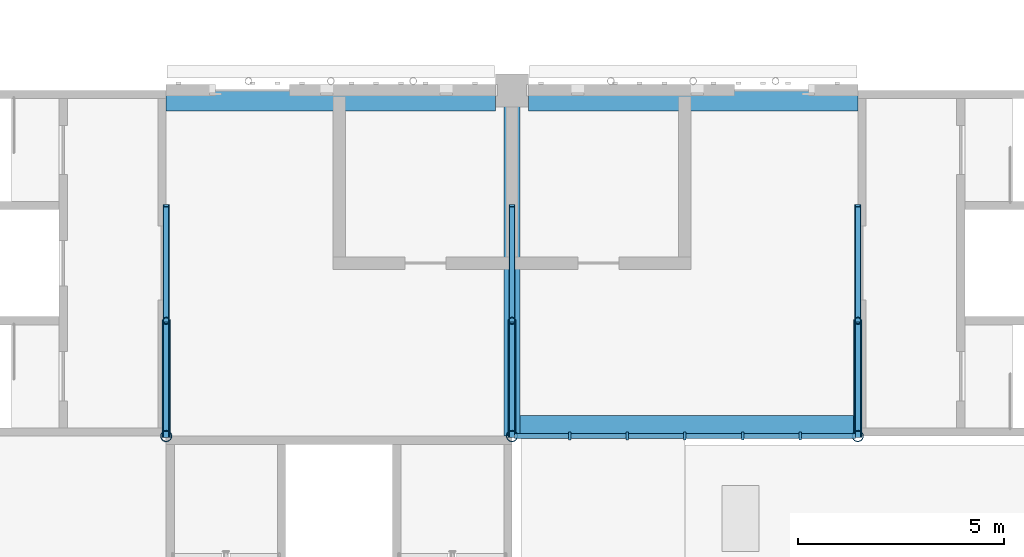
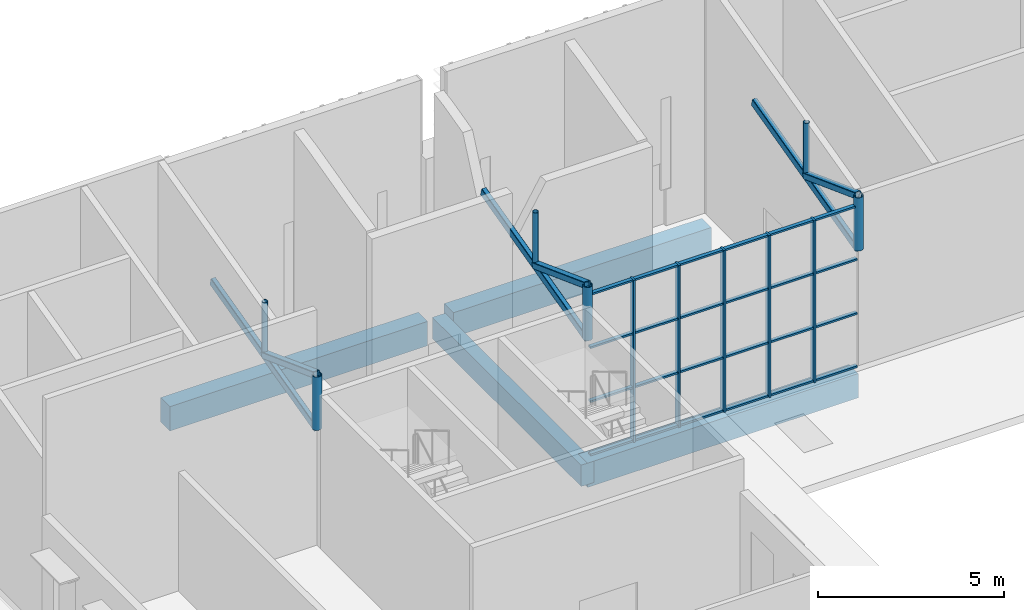
# One storey, part 6 of 101: 44 members, 4 beams, 1 element without a shape of its own.
"""IFC4 building model written with IfcOpenShell, lengths in metres."""

from ifc_helpers import new_model, si_unit, direction, frame, origin, origin_2d, place, context, subcontext, project, spatial, rectangle, hollow_rectangle, hollow_circle, extrude, material, material_profile, profile_set, type_object, element, aggregate, save


model = new_model("IFC4")

# Units and contexts
model_context = context("Model", 3, precision=1e-05, world=origin(), true_north=direction((0.0, 1.0)))
body_context = subcontext(model_context, "Body", "Model", "MODEL_VIEW")
ifc_project = project(units=[si_unit("LENGTHUNIT", "METRE"), si_unit("AREAUNIT", "SQUARE_METRE"), si_unit("VOLUMEUNIT", "CUBIC_METRE"), si_unit("PLANEANGLEUNIT", "RADIAN"), si_unit("MASSUNIT", "GRAM", prefix="KILO")], contexts=[model_context])

# Site, building, storey
site_placement = place(None, origin())
site = spatial("IfcSite", under=ifc_project, at=site_placement, CompositionType="ELEMENT")
building_placement = place(site_placement, origin())
building = spatial("IfcBuilding", under=site, at=building_placement, Name="Almond Square Museum", CompositionType="ELEMENT")
storey_placement = place(building_placement, frame((0.0, 0.0, 5.5)))
storey = spatial("IfcBuildingStorey", under=building, at=storey_placement, Name="L01", CompositionType="ELEMENT", Elevation=5.5)

# Curtain wall, members
ifc_material_1 = material(Name="Aluminium and laminated glass", Category="aluminium")
curtain_wall_type = type_object("IfcCurtainWallType", Name="Unitised curtain wall 1500 module", PredefinedType="NOTDEFINED", material=ifc_material_1)
curtain_wall_placement = place(storey_placement, origin())
curtain_wall = element("IfcCurtainWall", 1, at=curtain_wall_placement, inside=storey, type_object=curtain_wall_type, Name="Curtain wall CW-06", PredefinedType="NOTDEFINED")
ifc_material_2 = material(Name="Anodised aluminium", Category="aluminium")
ifc_material_profile_1 = material_profile(ifc_material_2, rectangle(XDim=0.199951171875, YDim=0.06005859375, at=origin_2d()))
ifc_profile_set_1 = profile_set([ifc_material_profile_1], Name="Anodised aluminium")
member_type_1 = type_object("IfcMemberType", Name="Aluminium mullion 60 x 200", PredefinedType="MULLION", material=ifc_profile_set_1)
member_1_placement = place(storey_placement, frame((24.199951171875, 75.60009765625, 0.0), z_axis=(0.0, 0.0, 1.0), x_axis=(0.0, 1.0, 0.0)))
member_1 = element("IfcMember", 2, at=member_1_placement, type_object=member_type_1, Name="CW-06 mullion 2", PredefinedType="MULLION", context=body_context, shape_type="SweptSolid", body=[
    extrude(rectangle(XDim=0.199951171875, YDim=0.06005859375, at=origin_2d()), origin(), (0.0, 0.0, 1.0), 5.319091796875),
])
member_2_placement = place(storey_placement, frame((25.60009765625, 75.60009765625, 0.0), z_axis=(0.0, 0.0, 1.0), x_axis=(0.0, 1.0, 0.0)))
member_2 = element("IfcMember", 3, at=member_2_placement, type_object=member_type_1, Name="CW-06 mullion 3", PredefinedType="MULLION", context=body_context, shape_type="SweptSolid", body=[
    extrude(rectangle(XDim=0.199951171875, YDim=0.06005859375, at=origin_2d()), origin(), (0.0, 0.0, 1.0), 5.319091796875),
])
member_3_placement = place(storey_placement, frame((27.0, 75.60009765625, 0.0), z_axis=(0.0, 0.0, 1.0), x_axis=(0.0, 1.0, 0.0)))
member_3 = element("IfcMember", 4, at=member_3_placement, type_object=member_type_1, Name="CW-06 mullion 4", PredefinedType="MULLION", context=body_context, shape_type="SweptSolid", body=[
    extrude(rectangle(XDim=0.199951171875, YDim=0.06005859375, at=origin_2d()), origin(), (0.0, 0.0, 1.0), 5.319091796875),
])
member_4_placement = place(storey_placement, frame((28.39990234375, 75.60009765625, 0.0), z_axis=(0.0, 0.0, 1.0), x_axis=(0.0, 1.0, 0.0)))
member_4 = element("IfcMember", 5, at=member_4_placement, type_object=member_type_1, Name="CW-06 mullion 5", PredefinedType="MULLION", context=body_context, shape_type="SweptSolid", body=[
    extrude(rectangle(XDim=0.199951171875, YDim=0.06005859375, at=origin_2d()), origin(), (0.0, 0.0, 1.0), 5.319091796875),
])
member_5_placement = place(storey_placement, frame((29.800048828125, 75.60009765625, 0.0), z_axis=(0.0, 0.0, 1.0), x_axis=(0.0, 1.0, 0.0)))
member_5 = element("IfcMember", 6, at=member_5_placement, type_object=member_type_1, Name="CW-06 mullion 6", PredefinedType="MULLION", context=body_context, shape_type="SweptSolid", body=[
    extrude(rectangle(XDim=0.199951171875, YDim=0.06005859375, at=origin_2d()), origin(), (0.0, 0.0, 1.0), 5.319091796875),
])
ifc_material_3 = material(Name="Anodised aluminium", Category="aluminium")
ifc_material_profile_2 = material_profile(ifc_material_3, rectangle(XDim=0.1201171875, YDim=0.06005859375, at=origin_2d()))
ifc_profile_set_2 = profile_set([ifc_material_profile_2], Name="Anodised aluminium")
member_type_2 = type_object("IfcMemberType", Name="Aluminium transom 60 x 120", PredefinedType="USERDEFINED", material=ifc_profile_set_2)
member_6_placement = place(storey_placement, frame((22.860107421875, 75.60009765625, 0.030029296875), z_axis=(1.0, 0.0, 0.0), x_axis=(0.0, 1.0, 0.0)))
member_6 = element("IfcMember", 7, at=member_6_placement, type_object=member_type_2, Name="CW-06 transom 1.1", ObjectType="TRANSOM", PredefinedType="USERDEFINED", context=body_context, shape_type="SweptSolid", body=[
    extrude(rectangle(XDim=0.1201171875, YDim=0.06005859375, at=origin_2d()), origin(), (0.0, 0.0, 1.0), 1.309814453125),
])
member_7_placement = place(storey_placement, frame((22.860107421875, 75.60009765625, 1.77294921875), z_axis=(1.0, 0.0, 0.0), x_axis=(0.0, 1.0, 0.0)))
member_7 = element("IfcMember", 8, at=member_7_placement, type_object=member_type_2, Name="CW-06 transom 1.2", ObjectType="TRANSOM", PredefinedType="USERDEFINED", context=body_context, shape_type="SweptSolid", body=[
    extrude(rectangle(XDim=0.1201171875, YDim=0.06005859375, at=origin_2d()), origin(), (0.0, 0.0, 1.0), 1.309814453125),
])
member_8_placement = place(storey_placement, frame((22.860107421875, 75.60009765625, 3.546142578125), z_axis=(1.0, 0.0, 0.0), x_axis=(0.0, 1.0, 0.0)))
member_8 = element("IfcMember", 9, at=member_8_placement, type_object=member_type_2, Name="CW-06 transom 1.3", ObjectType="TRANSOM", PredefinedType="USERDEFINED", context=body_context, shape_type="SweptSolid", body=[
    extrude(rectangle(XDim=0.1201171875, YDim=0.06005859375, at=origin_2d()), origin(), (0.0, 0.0, 1.0), 1.309814453125),
])
member_9_placement = place(storey_placement, frame((22.860107421875, 75.60009765625, 5.2890625), z_axis=(1.0, 0.0, 0.0), x_axis=(0.0, 1.0, 0.0)))
member_9 = element("IfcMember", 10, at=member_9_placement, type_object=member_type_2, Name="CW-06 transom 1.4", ObjectType="TRANSOM", PredefinedType="USERDEFINED", context=body_context, shape_type="SweptSolid", body=[
    extrude(rectangle(XDim=0.1201171875, YDim=0.06005859375, at=origin_2d()), origin(), (0.0, 0.0, 1.0), 1.309814453125),
])
member_10_placement = place(storey_placement, frame((24.22998046875, 75.60009765625, 0.030029296875), z_axis=(1.0, 0.0, 0.0), x_axis=(0.0, 1.0, 0.0)))
member_10 = element("IfcMember", 11, at=member_10_placement, type_object=member_type_2, Name="CW-06 transom 2.1", ObjectType="TRANSOM", PredefinedType="USERDEFINED", context=body_context, shape_type="SweptSolid", body=[
    extrude(rectangle(XDim=0.1201171875, YDim=0.06005859375, at=origin_2d()), origin(), (0.0, 0.0, 1.0), 1.340087890625),
])
member_11_placement = place(storey_placement, frame((24.22998046875, 75.60009765625, 1.77294921875), z_axis=(1.0, 0.0, 0.0), x_axis=(0.0, 1.0, 0.0)))
member_11 = element("IfcMember", 12, at=member_11_placement, type_object=member_type_2, Name="CW-06 transom 2.2", ObjectType="TRANSOM", PredefinedType="USERDEFINED", context=body_context, shape_type="SweptSolid", body=[
    extrude(rectangle(XDim=0.1201171875, YDim=0.06005859375, at=origin_2d()), origin(), (0.0, 0.0, 1.0), 1.340087890625),
])
member_12_placement = place(storey_placement, frame((24.22998046875, 75.60009765625, 3.546142578125), z_axis=(1.0, 0.0, 0.0), x_axis=(0.0, 1.0, 0.0)))
member_12 = element("IfcMember", 13, at=member_12_placement, type_object=member_type_2, Name="CW-06 transom 2.3", ObjectType="TRANSOM", PredefinedType="USERDEFINED", context=body_context, shape_type="SweptSolid", body=[
    extrude(rectangle(XDim=0.1201171875, YDim=0.06005859375, at=origin_2d()), origin(), (0.0, 0.0, 1.0), 1.340087890625),
])
member_13_placement = place(storey_placement, frame((24.22998046875, 75.60009765625, 5.2890625), z_axis=(1.0, 0.0, 0.0), x_axis=(0.0, 1.0, 0.0)))
member_13 = element("IfcMember", 14, at=member_13_placement, type_object=member_type_2, Name="CW-06 transom 2.4", ObjectType="TRANSOM", PredefinedType="USERDEFINED", context=body_context, shape_type="SweptSolid", body=[
    extrude(rectangle(XDim=0.1201171875, YDim=0.06005859375, at=origin_2d()), origin(), (0.0, 0.0, 1.0), 1.340087890625),
])
member_14_placement = place(storey_placement, frame((25.6298828125, 75.60009765625, 0.030029296875), z_axis=(1.0, 0.0, 0.0), x_axis=(0.0, 1.0, 0.0)))
member_14 = element("IfcMember", 15, at=member_14_placement, type_object=member_type_2, Name="CW-06 transom 3.1", ObjectType="TRANSOM", PredefinedType="USERDEFINED", context=body_context, shape_type="SweptSolid", body=[
    extrude(rectangle(XDim=0.1201171875, YDim=0.06005859375, at=origin_2d()), origin(), (0.0, 0.0, 1.0), 1.340087890625),
])
member_15_placement = place(storey_placement, frame((25.6298828125, 75.60009765625, 1.77294921875), z_axis=(1.0, 0.0, 0.0), x_axis=(0.0, 1.0, 0.0)))
member_15 = element("IfcMember", 16, at=member_15_placement, type_object=member_type_2, Name="CW-06 transom 3.2", ObjectType="TRANSOM", PredefinedType="USERDEFINED", context=body_context, shape_type="SweptSolid", body=[
    extrude(rectangle(XDim=0.1201171875, YDim=0.06005859375, at=origin_2d()), origin(), (0.0, 0.0, 1.0), 1.340087890625),
])
member_16_placement = place(storey_placement, frame((25.6298828125, 75.60009765625, 3.546142578125), z_axis=(1.0, 0.0, 0.0), x_axis=(0.0, 1.0, 0.0)))
member_16 = element("IfcMember", 17, at=member_16_placement, type_object=member_type_2, Name="CW-06 transom 3.3", ObjectType="TRANSOM", PredefinedType="USERDEFINED", context=body_context, shape_type="SweptSolid", body=[
    extrude(rectangle(XDim=0.1201171875, YDim=0.06005859375, at=origin_2d()), origin(), (0.0, 0.0, 1.0), 1.340087890625),
])
member_17_placement = place(storey_placement, frame((25.6298828125, 75.60009765625, 5.2890625), z_axis=(1.0, 0.0, 0.0), x_axis=(0.0, 1.0, 0.0)))
member_17 = element("IfcMember", 18, at=member_17_placement, type_object=member_type_2, Name="CW-06 transom 3.4", ObjectType="TRANSOM", PredefinedType="USERDEFINED", context=body_context, shape_type="SweptSolid", body=[
    extrude(rectangle(XDim=0.1201171875, YDim=0.06005859375, at=origin_2d()), origin(), (0.0, 0.0, 1.0), 1.340087890625),
])
member_18_placement = place(storey_placement, frame((27.030029296875, 75.60009765625, 0.030029296875), z_axis=(1.0, 0.0, 0.0), x_axis=(0.0, 1.0, 0.0)))
member_18 = element("IfcMember", 19, at=member_18_placement, type_object=member_type_2, Name="CW-06 transom 4.1", ObjectType="TRANSOM", PredefinedType="USERDEFINED", context=body_context, shape_type="SweptSolid", body=[
    extrude(rectangle(XDim=0.1201171875, YDim=0.06005859375, at=origin_2d()), origin(), (0.0, 0.0, 1.0), 1.340087890625),
])
member_19_placement = place(storey_placement, frame((27.030029296875, 75.60009765625, 1.77294921875), z_axis=(1.0, 0.0, 0.0), x_axis=(0.0, 1.0, 0.0)))
member_19 = element("IfcMember", 20, at=member_19_placement, type_object=member_type_2, Name="CW-06 transom 4.2", ObjectType="TRANSOM", PredefinedType="USERDEFINED", context=body_context, shape_type="SweptSolid", body=[
    extrude(rectangle(XDim=0.1201171875, YDim=0.06005859375, at=origin_2d()), origin(), (0.0, 0.0, 1.0), 1.340087890625),
])
member_20_placement = place(storey_placement, frame((27.030029296875, 75.60009765625, 3.546142578125), z_axis=(1.0, 0.0, 0.0), x_axis=(0.0, 1.0, 0.0)))
member_20 = element("IfcMember", 21, at=member_20_placement, type_object=member_type_2, Name="CW-06 transom 4.3", ObjectType="TRANSOM", PredefinedType="USERDEFINED", context=body_context, shape_type="SweptSolid", body=[
    extrude(rectangle(XDim=0.1201171875, YDim=0.06005859375, at=origin_2d()), origin(), (0.0, 0.0, 1.0), 1.340087890625),
])
member_21_placement = place(storey_placement, frame((27.030029296875, 75.60009765625, 5.2890625), z_axis=(1.0, 0.0, 0.0), x_axis=(0.0, 1.0, 0.0)))
member_21 = element("IfcMember", 22, at=member_21_placement, type_object=member_type_2, Name="CW-06 transom 4.4", ObjectType="TRANSOM", PredefinedType="USERDEFINED", context=body_context, shape_type="SweptSolid", body=[
    extrude(rectangle(XDim=0.1201171875, YDim=0.06005859375, at=origin_2d()), origin(), (0.0, 0.0, 1.0), 1.340087890625),
])
member_22_placement = place(storey_placement, frame((28.429931640625, 75.60009765625, 0.030029296875), z_axis=(1.0, 0.0, 0.0), x_axis=(0.0, 1.0, 0.0)))
member_22 = element("IfcMember", 23, at=member_22_placement, type_object=member_type_2, Name="CW-06 transom 5.1", ObjectType="TRANSOM", PredefinedType="USERDEFINED", context=body_context, shape_type="SweptSolid", body=[
    extrude(rectangle(XDim=0.1201171875, YDim=0.06005859375, at=origin_2d()), origin(), (0.0, 0.0, 1.0), 1.340087890625),
])
member_23_placement = place(storey_placement, frame((28.429931640625, 75.60009765625, 1.77294921875), z_axis=(1.0, 0.0, 0.0), x_axis=(0.0, 1.0, 0.0)))
member_23 = element("IfcMember", 24, at=member_23_placement, type_object=member_type_2, Name="CW-06 transom 5.2", ObjectType="TRANSOM", PredefinedType="USERDEFINED", context=body_context, shape_type="SweptSolid", body=[
    extrude(rectangle(XDim=0.1201171875, YDim=0.06005859375, at=origin_2d()), origin(), (0.0, 0.0, 1.0), 1.340087890625),
])
member_24_placement = place(storey_placement, frame((28.429931640625, 75.60009765625, 3.546142578125), z_axis=(1.0, 0.0, 0.0), x_axis=(0.0, 1.0, 0.0)))
member_24 = element("IfcMember", 25, at=member_24_placement, type_object=member_type_2, Name="CW-06 transom 5.3", ObjectType="TRANSOM", PredefinedType="USERDEFINED", context=body_context, shape_type="SweptSolid", body=[
    extrude(rectangle(XDim=0.1201171875, YDim=0.06005859375, at=origin_2d()), origin(), (0.0, 0.0, 1.0), 1.340087890625),
])
member_25_placement = place(storey_placement, frame((28.429931640625, 75.60009765625, 5.2890625), z_axis=(1.0, 0.0, 0.0), x_axis=(0.0, 1.0, 0.0)))
member_25 = element("IfcMember", 26, at=member_25_placement, type_object=member_type_2, Name="CW-06 transom 5.4", ObjectType="TRANSOM", PredefinedType="USERDEFINED", context=body_context, shape_type="SweptSolid", body=[
    extrude(rectangle(XDim=0.1201171875, YDim=0.06005859375, at=origin_2d()), origin(), (0.0, 0.0, 1.0), 1.340087890625),
])
member_26_placement = place(storey_placement, frame((29.830078125, 75.60009765625, 0.030029296875), z_axis=(1.0, 0.0, 0.0), x_axis=(0.0, 1.0, 0.0)))
member_26 = element("IfcMember", 27, at=member_26_placement, type_object=member_type_2, Name="CW-06 transom 6.1", ObjectType="TRANSOM", PredefinedType="USERDEFINED", context=body_context, shape_type="SweptSolid", body=[
    extrude(rectangle(XDim=0.1201171875, YDim=0.06005859375, at=origin_2d()), origin(), (0.0, 0.0, 1.0), 1.309814453125),
])
member_27_placement = place(storey_placement, frame((29.830078125, 75.60009765625, 1.77294921875), z_axis=(1.0, 0.0, 0.0), x_axis=(0.0, 1.0, 0.0)))
member_27 = element("IfcMember", 28, at=member_27_placement, type_object=member_type_2, Name="CW-06 transom 6.2", ObjectType="TRANSOM", PredefinedType="USERDEFINED", context=body_context, shape_type="SweptSolid", body=[
    extrude(rectangle(XDim=0.1201171875, YDim=0.06005859375, at=origin_2d()), origin(), (0.0, 0.0, 1.0), 1.309814453125),
])
member_28_placement = place(storey_placement, frame((29.830078125, 75.60009765625, 3.546142578125), z_axis=(1.0, 0.0, 0.0), x_axis=(0.0, 1.0, 0.0)))
member_28 = element("IfcMember", 29, at=member_28_placement, type_object=member_type_2, Name="CW-06 transom 6.3", ObjectType="TRANSOM", PredefinedType="USERDEFINED", context=body_context, shape_type="SweptSolid", body=[
    extrude(rectangle(XDim=0.1201171875, YDim=0.06005859375, at=origin_2d()), origin(), (0.0, 0.0, 1.0), 1.309814453125),
])
member_29_placement = place(storey_placement, frame((29.830078125, 75.60009765625, 5.2890625), z_axis=(1.0, 0.0, 0.0), x_axis=(0.0, 1.0, 0.0)))
member_29 = element("IfcMember", 30, at=member_29_placement, type_object=member_type_2, Name="CW-06 transom 6.4", ObjectType="TRANSOM", PredefinedType="USERDEFINED", context=body_context, shape_type="SweptSolid", body=[
    extrude(rectangle(XDim=0.1201171875, YDim=0.06005859375, at=origin_2d()), origin(), (0.0, 0.0, 1.0), 1.309814453125),
])
aggregate(curtain_wall, [member_1, member_2, member_3, member_4, member_5, member_6, member_7, member_8, member_9, member_10, member_11, member_12, member_13, member_14, member_15, member_16, member_17, member_18, member_19, member_20, member_21, member_22, member_23, member_24, member_25, member_26, member_27, member_28, member_29])

# Beams
ifc_material_4 = material(Name="Concrete C40/50", Category="concrete")
ifc_material_profile_3 = material_profile(ifc_material_4, rectangle(XDim=0.39990234375, YDim=0.699951171875, at=origin_2d()))
ifc_profile_set_3 = profile_set([ifc_material_profile_3], Name="Concrete C40/50")
beam_type_1 = type_object("IfcBeamType", Name="RC beam 400 x 700 C40/50", PredefinedType="BEAM", material=ifc_profile_set_3)
beam_1_placement = place(storey_placement, frame((22.800048828125, 75.60009765625, -0.60009765625), z_axis=(0.0, 1.0, 0.0), x_axis=(-1.0, 0.0, 0.0)))
element("IfcBeam", 31, at=beam_1_placement, inside=storey, type_object=beam_type_1, Name="Beam 4 J-K L01", PredefinedType="BEAM", context=body_context, shape_type="SweptSolid", body=[
    extrude(rectangle(XDim=0.39990234375, YDim=0.699951171875, at=origin_2d()), origin(), (0.0, 0.0, 1.0), 8.0),
])
ifc_material_5 = material(Name="Concrete C40/50", Category="concrete")
ifc_material_profile_4 = material_profile(ifc_material_5, rectangle(XDim=0.5, YDim=0.800048828125, at=origin_2d()))
ifc_profile_set_4 = profile_set([ifc_material_profile_4], Name="Concrete C40/50")
beam_type_2 = type_object("IfcBeamType", Name="RC edge beam 500 x 800 C40/50", PredefinedType="BEAM", material=ifc_profile_set_4)
beam_2_placement = place(storey_placement, frame((22.800048828125, 75.85009765625, -0.64990234375), z_axis=(1.0, 0.0, 0.0), x_axis=(0.0, 1.0, 0.0)))
element("IfcBeam", 32, at=beam_2_placement, inside=storey, type_object=beam_type_2, Name="Edge beam J 4-5 L01", PredefinedType="BEAM", context=body_context, shape_type="SweptSolid", body=[
    extrude(rectangle(XDim=0.5, YDim=0.800048828125, at=origin_2d()), origin(), (0.0, 0.0, 1.0), 8.39990234375),
])
for number, where, z_axis, x_axis, name in (
    (33, (14.39990234375, 83.75, -0.64990234375), (1.0, 0.0, 0.0), (0.0, 1.0, 0.0), "Edge beam K 3-4 L01"),
    (34, (23.199951171875, 83.75, -0.64990234375), (1.0, 0.0, 0.0), (0.0, 1.0, 0.0), "Edge beam K 4-5 L01"),
):
    element("IfcBeam", number, at=place(storey_placement, frame(where, z_axis=z_axis, x_axis=x_axis)), inside=storey, type_object=beam_type_2, Name=name, PredefinedType="BEAM", context=body_context, shape_type="SweptSolid", body=[
        extrude(rectangle(XDim=0.5, YDim=0.800048828125, at=origin_2d()), origin(), (0.0, 0.0, 1.0), 8.0),
    ])

# Members
ifc_material_6 = material(Name="Structural steel S355", Category="steel")
ifc_material_profile_5 = material_profile(ifc_material_6, hollow_rectangle(XDim=0.14990234375, YDim=0.25, WallThickness=0.010009765625, InnerFilletRadius=0.014892578125, OuterFilletRadius=0.02490234375, at=origin_2d()))
ifc_profile_set_5 = profile_set([ifc_material_profile_5], Name="Structural steel S355")
member_type_3 = type_object("IfcMemberType", Name="Truss chord RHS 250x150x10", PredefinedType="CHORD", material=ifc_profile_set_5)
member_30_placement = place(storey_placement, frame((14.39990234375, 75.60009765625, 3.8544921875), z_axis=(0.0, 0.969442336657, 0.245319293772), x_axis=(-1.0, 0.0, 0.0)))
element("IfcMember", 35, at=member_30_placement, inside=storey, type_object=member_type_3, Name="TR-13 bottom chord 1", PredefinedType="CHORD", context=body_context, shape_type="SweptSolid", body=[
    extrude(hollow_rectangle(XDim=0.14990234375, YDim=0.25, WallThickness=0.010009765625, InnerFilletRadius=0.014892578125, OuterFilletRadius=0.02490234375, at=origin_2d()), origin(), (0.0, 0.0, 1.0), 2.887939453125),
])
member_31_placement = place(storey_placement, frame((14.39990234375, 78.39990234375, 4.56298828125), z_axis=(0.0, 0.969467521681, 0.245219747179), x_axis=(-1.0, 0.0, 0.0)))
element("IfcMember", 36, at=member_31_placement, inside=storey, type_object=member_type_3, Name="TR-13 bottom chord 2", PredefinedType="CHORD", context=body_context, shape_type="SweptSolid", body=[
    extrude(hollow_rectangle(XDim=0.14990234375, YDim=0.25, WallThickness=0.010009765625, InnerFilletRadius=0.014892578125, OuterFilletRadius=0.02490234375, at=origin_2d()), origin(), (0.0, 0.0, 1.0), 2.88818359375),
])
member_32_placement = place(storey_placement, frame((22.800048828125, 75.60009765625, 3.8544921875), z_axis=(0.0, 0.969442336657, 0.245319293772), x_axis=(-1.0, 0.0, 0.0)))
element("IfcMember", 37, at=member_32_placement, inside=storey, type_object=member_type_3, Name="TR-14 bottom chord 1", PredefinedType="CHORD", context=body_context, shape_type="SweptSolid", body=[
    extrude(hollow_rectangle(XDim=0.14990234375, YDim=0.25, WallThickness=0.010009765625, InnerFilletRadius=0.014892578125, OuterFilletRadius=0.02490234375, at=origin_2d()), origin(), (0.0, 0.0, 1.0), 2.887939453125),
])
member_33_placement = place(storey_placement, frame((22.800048828125, 78.39990234375, 4.56298828125), z_axis=(0.0, 0.969467521681, 0.245219747179), x_axis=(-1.0, 0.0, 0.0)))
element("IfcMember", 38, at=member_33_placement, inside=storey, type_object=member_type_3, Name="TR-14 bottom chord 2", PredefinedType="CHORD", context=body_context, shape_type="SweptSolid", body=[
    extrude(hollow_rectangle(XDim=0.14990234375, YDim=0.25, WallThickness=0.010009765625, InnerFilletRadius=0.014892578125, OuterFilletRadius=0.02490234375, at=origin_2d()), origin(), (0.0, 0.0, 1.0), 2.88818359375),
])
member_34_placement = place(storey_placement, frame((31.199951171875, 75.60009765625, 3.8544921875), z_axis=(0.0, 0.969442336657, 0.245319293772), x_axis=(-1.0, 0.0, 0.0)))
element("IfcMember", 39, at=member_34_placement, inside=storey, type_object=member_type_3, Name="TR-15 bottom chord 1", PredefinedType="CHORD", context=body_context, shape_type="SweptSolid", body=[
    extrude(hollow_rectangle(XDim=0.14990234375, YDim=0.25, WallThickness=0.010009765625, InnerFilletRadius=0.014892578125, OuterFilletRadius=0.02490234375, at=origin_2d()), origin(), (0.0, 0.0, 1.0), 2.887939453125),
])
member_35_placement = place(storey_placement, frame((31.199951171875, 78.39990234375, 4.56298828125), z_axis=(0.0, 0.969467521681, 0.245219747179), x_axis=(-1.0, 0.0, 0.0)))
element("IfcMember", 40, at=member_35_placement, inside=storey, type_object=member_type_3, Name="TR-15 bottom chord 2", PredefinedType="CHORD", context=body_context, shape_type="SweptSolid", body=[
    extrude(hollow_rectangle(XDim=0.14990234375, YDim=0.25, WallThickness=0.010009765625, InnerFilletRadius=0.014892578125, OuterFilletRadius=0.02490234375, at=origin_2d()), origin(), (0.0, 0.0, 1.0), 2.88818359375),
])
ifc_material_7 = material(Name="Structural steel S355", Category="steel")
ifc_material_profile_6 = material_profile(ifc_material_7, hollow_rectangle(XDim=0.199951171875, YDim=0.199951171875, WallThickness=0.010009765625, InnerFilletRadius=0.014892578125, OuterFilletRadius=0.02490234375, at=origin_2d()))
ifc_profile_set_6 = profile_set([ifc_material_profile_6], Name="Structural steel S355")
member_type_4 = type_object("IfcMemberType", Name="Truss diagonal SHS 200x200x10", PredefinedType="BRACE", material=ifc_profile_set_6)
for number, where, z_axis, x_axis, name in (
    (41, (14.39990234375, 75.60009765625, 5.6044921875), (0.0, 0.937252907737, -0.348650235822), (-1.0, 0.0, 0.0), "TR-13 diagonal 1"),
    (42, (22.800048828125, 75.60009765625, 5.6044921875), (0.0, 0.937252907737, -0.348650235822), (-1.0, 0.0, 0.0), "TR-14 diagonal 1"),
    (43, (31.199951171875, 75.60009765625, 5.6044921875), (0.0, 0.937252907737, -0.348650235822), (-1.0, 0.0, 0.0), "TR-15 diagonal 1"),
):
    element("IfcMember", number, at=place(storey_placement, frame(where, z_axis=z_axis, x_axis=x_axis)), inside=storey, type_object=member_type_4, Name=name, PredefinedType="BRACE", context=body_context, shape_type="SweptSolid", body=[
        extrude(hollow_rectangle(XDim=0.199951171875, YDim=0.199951171875, WallThickness=0.010009765625, InnerFilletRadius=0.014892578125, OuterFilletRadius=0.02490234375, at=origin_2d()), origin(), (0.0, 0.0, 1.0), 2.9873046875),
    ])
ifc_material_8 = material(Name="Structural steel S355", Category="steel")
ifc_material_profile_7 = material_profile(ifc_material_8, hollow_circle(Radius=0.084228515625, WallThickness=0.008056640625, at=origin_2d()))
ifc_profile_set_7 = profile_set([ifc_material_profile_7], Name="Structural steel S355")
member_type_5 = type_object("IfcMemberType", Name="Truss post CHS 168.3x8", PredefinedType="POST", material=ifc_profile_set_7)
for number, where, z_axis, x_axis, name in (
    (44, (14.39990234375, 78.39990234375, 4.56298828125), (0.0, 0.0, 1.0), (1.0, 0.0, 0.0), "TR-13 post 2"),
    (45, (22.800048828125, 78.39990234375, 4.56298828125), (0.0, 0.0, 1.0), (1.0, 0.0, 0.0), "TR-14 post 2"),
    (46, (31.199951171875, 78.39990234375, 4.56298828125), (0.0, 0.0, 1.0), (1.0, 0.0, 0.0), "TR-15 post 2"),
):
    element("IfcMember", number, at=place(storey_placement, frame(where, z_axis=z_axis, x_axis=x_axis)), inside=storey, type_object=member_type_5, Name=name, PredefinedType="POST", context=body_context, shape_type="SweptSolid", body=[
        extrude(hollow_circle(Radius=0.084228515625, WallThickness=0.008056640625, at=origin_2d()), origin(), (0.0, 0.0, 1.0), 1.75),
    ])
ifc_material_9 = material(Name="Structural steel S355", Category="steel")
ifc_material_profile_8 = material_profile(ifc_material_9, hollow_circle(Radius=0.136474609375, WallThickness=0.012451171875, at=origin_2d()))
ifc_profile_set_8 = profile_set([ifc_material_profile_8], Name="Structural steel S355")
member_type_6 = type_object("IfcMemberType", Name="Truss post CHS 273x12.5", PredefinedType="POST", material=ifc_profile_set_8)
for number, where, z_axis, x_axis, name in (
    (47, (14.39990234375, 75.60009765625, 3.8544921875), (0.0, 0.0, 1.0), (1.0, 0.0, 0.0), "TR-13 post 1"),
    (48, (22.800048828125, 75.60009765625, 3.8544921875), (0.0, 0.0, 1.0), (1.0, 0.0, 0.0), "TR-14 post 1"),
    (49, (31.199951171875, 75.60009765625, 3.8544921875), (0.0, 0.0, 1.0), (1.0, 0.0, 0.0), "TR-15 post 1"),
):
    element("IfcMember", number, at=place(storey_placement, frame(where, z_axis=z_axis, x_axis=x_axis)), inside=storey, type_object=member_type_6, Name=name, PredefinedType="POST", context=body_context, shape_type="SweptSolid", body=[
        extrude(hollow_circle(Radius=0.136474609375, WallThickness=0.012451171875, at=origin_2d()), origin(), (0.0, 0.0, 1.0), 1.75),
    ])

save(model, "model.ifc")
